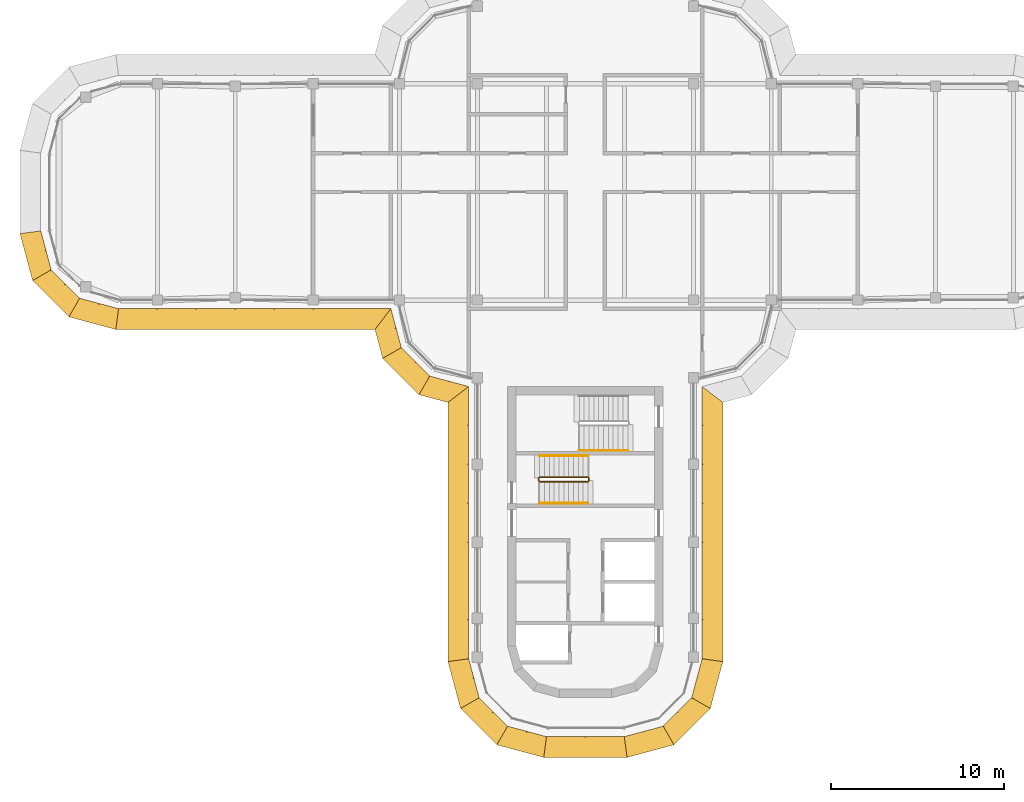
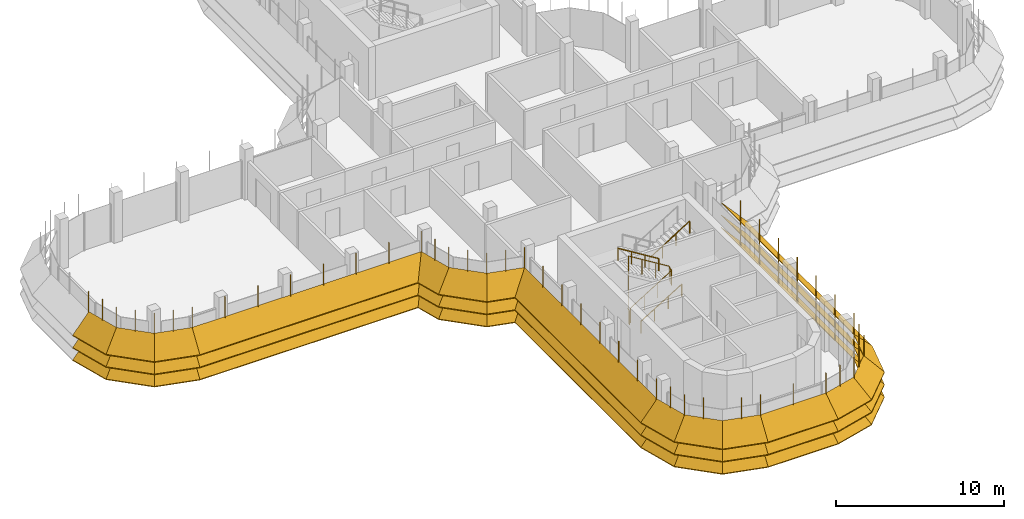
# One storey, part 16 of 19: 8 shading devices, 4 railings.
"""IFC4 building model written with IfcOpenShell, lengths in metres."""

from ifc_helpers import new_model, si_unit, direction, frame, origin, origin_2d, place, context, subcontext, project, spatial, polyline, circle, outline, extrude, faceted_brep, source, transform, mapped, material, type_object, element, save


model = new_model("IFC4")

# Units and contexts
model_context = context("Model", 3, precision=1e-05, world=origin(), true_north=direction((0.0, 1.0)))
body_context = subcontext(model_context, "Body", "Model", "MODEL_VIEW")
ifc_project = project(units=[si_unit("LENGTHUNIT", "METRE"), si_unit("AREAUNIT", "SQUARE_METRE"), si_unit("VOLUMEUNIT", "CUBIC_METRE"), si_unit("PLANEANGLEUNIT", "RADIAN"), si_unit("MASSUNIT", "GRAM", prefix="KILO")], contexts=[model_context])

# Site, building, storey
site_placement = place(None, origin())
site = spatial("IfcSite", under=ifc_project, at=site_placement, CompositionType="ELEMENT")
building_placement = place(site_placement, origin())
building = spatial("IfcBuilding", under=site, at=building_placement, Name="Zarbagh Exchange Tower", CompositionType="ELEMENT")
storey_placement = place(building_placement, frame((0.0, 0.0, 257.39990234375)))
storey = spatial("IfcBuildingStorey", under=building, at=storey_placement, Name="L63", CompositionType="ELEMENT", Elevation=257.39990234375)

# Railings
ifc_material_1 = material(Name="Stainless steel", Category="steel")
railing_type_1 = type_object("IfcRailingType", Name="Stair guard 1100 mm", PredefinedType="GUARDRAIL", material=ifc_material_1)
railing_1_placement = place(storey_placement, frame((-2.64990234375, -16.75, 0.1728515625)))
element("IfcRailing", 1, at=railing_1_placement, inside=storey, type_object=railing_type_1, Name="ST3 stair guard 1", PredefinedType="GUARDRAIL", context=body_context, shape_type="SweptSolid", body=[
    extrude(circle(Radius=0.02392578125, at=origin_2d()), frame((0.0, 0.0, 1.076171875), z_axis=(0.851069175582, 0.0, 0.525053576669), x_axis=(0.0, 1.0, 0.0)), (0.0, 0.0, 1.0), 3.289794921875),
    extrude(circle(Radius=0.02392578125, at=origin_2d()), frame((2.7998046875, 0.0, 2.80322265625), z_axis=(0.707106781187, 0.707106781187, 0.0), x_axis=(-0.707106781187, 0.707106781187, 0.0)), (0.0, 0.0, 1.0), 0.07080078125),
    extrude(circle(Radius=0.02392578125, at=origin_2d()), frame((2.849853515625, 0.050048828125, 2.80322265625), z_axis=(0.0, 1.0, 0.0), x_axis=(-1.0, 0.0, 0.0)), (0.0, 0.0, 1.0), 0.14990234375),
    extrude(circle(Radius=0.02392578125, at=origin_2d()), frame((2.849853515625, 0.199951171875, 2.80322265625), z_axis=(-0.268277960024, 0.268277960024, 0.925231793839), x_axis=(-0.707106781187, -0.707106781187, 0.0)), (0.0, 0.0, 1.0), 0.1865234375),
    extrude(circle(Radius=0.02392578125, at=origin_2d()), frame((2.7998046875, 0.25, 2.97607421875), z_axis=(-0.851069175582, 0.0, 0.525053576669), x_axis=(0.0, -1.0, 0.0)), (0.0, 0.0, 1.0), 3.289794921875),
    extrude(circle(Radius=0.02392578125, at=origin_2d()), frame((0.0, 0.25, 4.703125), z_axis=(-0.013168290981, -0.013168290981, -0.999826581076), x_axis=(0.707106781187, -0.707106781187, 0.0)), (0.0, 0.0, 1.0), 3.80078125),
    extrude(circle(Radius=0.02392578125, at=origin_2d()), frame((-0.050048828125, 0.199951171875, 0.9033203125), z_axis=(0.0, -1.0, 0.0), x_axis=(1.0, 0.0, 0.0)), (0.0, 0.0, 1.0), 0.14990234375),
    extrude(circle(Radius=0.02099609375, at=origin_2d()), origin(), (0.0, 0.0, 1.0), 1.052001953125),
    extrude(circle(Radius=0.02099609375, at=origin_2d()), frame((0.933349609375, 0.0, 0.57568359375)), (0.0, 0.0, 1.0), 1.052001953125),
    extrude(circle(Radius=0.02099609375, at=origin_2d()), frame((1.866455078125, 0.0, 1.151611328125)), (0.0, 0.0, 1.0), 1.052001953125),
    extrude(circle(Radius=0.02099609375, at=origin_2d()), frame((2.7998046875, 0.0, 1.727294921875)), (0.0, 0.0, 1.0), 1.052001953125),
    extrude(circle(Radius=0.02099609375, at=origin_2d()), frame((2.849853515625, 0.050048828125, 1.727294921875)), (0.0, 0.0, 1.0), 1.052001953125),
    extrude(circle(Radius=0.02099609375, at=origin_2d()), frame((2.849853515625, 0.199951171875, 1.727294921875)), (0.0, 0.0, 1.0), 1.052001953125),
    extrude(circle(Radius=0.02099609375, at=origin_2d()), frame((2.7998046875, 0.25, 1.89990234375)), (0.0, 0.0, 1.0), 1.052001953125),
    extrude(circle(Radius=0.02099609375, at=origin_2d()), frame((1.866455078125, 0.25, 2.4755859375)), (0.0, 0.0, 1.0), 1.052001953125),
    extrude(circle(Radius=0.02099609375, at=origin_2d()), frame((0.933349609375, 0.25, 3.051513671875)), (0.0, 0.0, 1.0), 1.052001953125),
    extrude(circle(Radius=0.02099609375, at=origin_2d()), frame((0.0, 0.25, 3.627197265625)), (0.0, 0.0, 1.0), 1.052001953125),
    extrude(circle(Radius=0.02099609375, at=origin_2d()), frame((-0.012451171875, 0.237548828125, 2.67724609375)), (0.0, 0.0, 1.0), 1.052001953125),
    extrude(circle(Radius=0.02099609375, at=origin_2d()), frame((-0.02490234375, 0.22509765625, 1.72705078125)), (0.0, 0.0, 1.0), 1.052001953125),
    extrude(circle(Radius=0.02099609375, at=origin_2d()), frame((-0.03759765625, 0.21240234375, 0.777099609375)), (0.0, 0.0, 1.0), 1.052001953125),
    extrude(circle(Radius=0.02099609375, at=origin_2d()), frame((-0.050048828125, 0.199951171875, -0.1728515625)), (0.0, 0.0, 1.0), 1.052001953125),
    extrude(circle(Radius=0.02099609375, at=origin_2d()), frame((-0.050048828125, 0.050048828125, -0.1728515625)), (0.0, 0.0, 1.0), 1.052001953125),
])
railing_type_2 = type_object("IfcRailingType", Name="Stair handrail 900 mm", PredefinedType="HANDRAIL", material=ifc_material_1)
railing_2_placement = place(storey_placement, frame((-2.64990234375, -18.0, 0.1728515625)))
element("IfcRailing", 2, at=railing_2_placement, inside=storey, type_object=railing_type_2, Name="ST3 stair handrail 1", PredefinedType="HANDRAIL", context=body_context, shape_type="SweptSolid", body=[
    extrude(circle(Radius=0.02392578125, at=origin_2d()), frame((0.0, 0.0, 0.8759765625), z_axis=(0.851069175582, 0.0, 0.525053576669), x_axis=(0.0, 1.0, 0.0)), (0.0, 0.0, 1.0), 3.289794921875),
    extrude(circle(Radius=0.02099609375, at=origin_2d()), origin(), (0.0, 0.0, 1.0), 0.851806640625),
    extrude(circle(Radius=0.02099609375, at=origin_2d()), frame((0.933349609375, 0.0, 0.57568359375)), (0.0, 0.0, 1.0), 0.851806640625),
    extrude(circle(Radius=0.02099609375, at=origin_2d()), frame((1.866455078125, 0.0, 1.151611328125)), (0.0, 0.0, 1.0), 0.851806640625),
    extrude(circle(Radius=0.02099609375, at=origin_2d()), frame((2.7998046875, 0.0, 1.727294921875)), (0.0, 0.0, 1.0), 0.851806640625),
])
railing_3_placement = place(storey_placement, frame((0.14990234375, -15.25, 2.07275390625)))
element("IfcRailing", 3, at=railing_3_placement, inside=storey, type_object=railing_type_2, Name="ST3 stair handrail 2", PredefinedType="HANDRAIL", context=body_context, shape_type="SweptSolid", body=[
    extrude(circle(Radius=0.02392578125, at=origin_2d()), frame((0.0, 0.0, 0.8759765625), z_axis=(-0.851069175582, 0.0, 0.525053576669), x_axis=(0.0, -1.0, 0.0)), (0.0, 0.0, 1.0), 3.289794921875),
    extrude(circle(Radius=0.02099609375, at=origin_2d()), origin(), (0.0, 0.0, 1.0), 0.851806640625),
    extrude(circle(Radius=0.02099609375, at=origin_2d()), frame((-0.933349609375, 0.0, 0.57568359375)), (0.0, 0.0, 1.0), 0.851806640625),
    extrude(circle(Radius=0.02099609375, at=origin_2d()), frame((-1.866455078125, 0.0, 1.151611328125)), (0.0, 0.0, 1.0), 0.851806640625),
    extrude(circle(Radius=0.02099609375, at=origin_2d()), frame((-2.7998046875, 0.0, 1.727294921875)), (0.0, 0.0, 1.0), 0.851806640625),
])
railing_4_placement = place(storey_placement, frame((-0.35009765625, -14.949951171875, 2.07275390625)))
element("IfcRailing", 4, at=railing_4_placement, inside=storey, type_object=railing_type_2, Name="ST4 stair handrail 2", PredefinedType="HANDRAIL", context=body_context, shape_type="SweptSolid", body=[
    extrude(circle(Radius=0.02392578125, at=origin_2d()), frame((0.0, 0.0, 0.8759765625), z_axis=(0.851089632645, 0.0, 0.525020415988), x_axis=(0.0, 1.0, 0.0)), (0.0, 0.0, 1.0), 3.2900390625),
    extrude(circle(Radius=0.02099609375, at=origin_2d()), origin(), (0.0, 0.0, 1.0), 0.851806640625),
    extrude(circle(Radius=0.02099609375, at=origin_2d()), frame((0.933349609375, 0.0, 0.57568359375)), (0.0, 0.0, 1.0), 0.851806640625),
    extrude(circle(Radius=0.02099609375, at=origin_2d()), frame((1.86669921875, 0.0, 1.151611328125)), (0.0, 0.0, 1.0), 0.851806640625),
    extrude(circle(Radius=0.02099609375, at=origin_2d()), frame((2.800048828125, 0.0, 1.727294921875)), (0.0, 0.0, 1.0), 0.851806640625),
])

# Shading devices
ifc_material_2 = material(Name="Anodised aluminium blades and brackets", Category="aluminium")
shading_device_type = type_object("IfcShadingDeviceType", Name="SUNSHADE louvre band, 45 degree blades", PredefinedType="JALOUSIE", material=ifc_material_2)
shared_shape_1 = source(origin(), body_context, "Body", "Brep", [
    faceted_brep([(0.0, 0.0, 0.0), (0.0, 0.0, -0.056640625), (-0.157958984375, -1.199951171875, -1.256591796875), (-0.157958984375, -1.199951171875, -1.199951171875), (2.65087890625, -1.199951171875, -1.199951171875), (2.65087890625, -1.199951171875, -1.256591796875), (2.329345703125, 0.0, -0.056640625), (2.329345703125, 0.0, 0.0)], [[[0, 1, 2, 3]], [[4, 5, 6, 7]], [[0, 7, 6, 1]], [[1, 6, 5, 2]], [[2, 5, 4, 3]], [[3, 4, 7, 0]]]),
])
shared_shape_2 = source(origin(), body_context, "Body", "Brep", [
    faceted_brep([(0.0, 0.0, 0.0), (0.0, 0.0, -0.056640625), (-0.321533203125, -1.199951171875, -1.256591796875), (-0.321533203125, -1.199951171875, -1.199951171875), (2.65087890625, -1.199951171875, -1.199951171875), (2.65087890625, -1.199951171875, -1.256591796875), (2.329345703125, 0.0, -0.056640625), (2.329345703125, 0.0, 0.0)], [[[0, 1, 2, 3]], [[4, 5, 6, 7]], [[0, 7, 6, 1]], [[1, 6, 5, 2]], [[2, 5, 4, 3]], [[3, 4, 7, 0]]]),
])
shared_shape_3 = source(origin(), body_context, "Body", "Brep", [
    faceted_brep([(0.0, 0.0, 0.0), (0.0, 0.0, -0.056640625), (-0.321533203125, -1.199951171875, -1.256591796875), (-0.321533203125, -1.199951171875, -1.199951171875), (2.4873046875, -1.199951171875, -1.199951171875), (2.4873046875, -1.199951171875, -1.256591796875), (2.329345703125, 0.0, -0.056640625), (2.329345703125, 0.0, 0.0)], [[[0, 1, 2, 3]], [[4, 5, 6, 7]], [[0, 7, 6, 1]], [[1, 6, 5, 2]], [[2, 5, 4, 3]], [[3, 4, 7, 0]]]),
])
shared_shape_4 = source(origin(), body_context, "Body", "SweptSolid", [
    extrude(outline(polyline([(0.0, -0.012451171875), (0.06005859375, -0.012451171875), (0.06005859375, 0.012451171875), (0.0, 0.012451171875), (0.0, -0.012451171875)])), origin(), (0.0, 0.0, 1.0), 3.366455078125),
])
placement = place(storey_placement, origin())
element("IfcShadingDevice", 5, at=placement, inside=storey, type_object=shading_device_type, Name="SS35 sunshade band", PredefinedType="JALOUSIE", context=body_context, shape_type="MappedRepresentation", body=[
    mapped(shared_shape_1, transform((2.25, -31.5, 2.300048828125), x_axis=(0.965924289636, 0.258824779902, 0.0), y_axis=(-0.258824779902, 0.965924289636, 0.0), z_axis=(0.0, 0.0, 1.0))),
    mapped(shared_shape_1, transform((2.25, -31.5, 1.400146484375), x_axis=(0.965924289636, 0.258824779902, 0.0), y_axis=(-0.258824779902, 0.965924289636, 0.0), z_axis=(0.0, 0.0, 1.0))),
    mapped(shared_shape_1, transform((2.25, -31.5, 0.5), x_axis=(0.965924289636, 0.258824779902, 0.0), y_axis=(-0.258824779902, 0.965924289636, 0.0), z_axis=(0.0, 0.0, 1.0))),
    mapped(shared_shape_2, transform((4.5, -30.897216796875, 2.300048828125), x_axis=(0.707106781187, 0.707106781187, 0.0), y_axis=(-0.707106781187, 0.707106781187, 0.0), z_axis=(0.0, 0.0, 1.0))),
    mapped(shared_shape_2, transform((4.5, -30.897216796875, 1.400146484375), x_axis=(0.707106781187, 0.707106781187, 0.0), y_axis=(-0.707106781187, 0.707106781187, 0.0), z_axis=(0.0, 0.0, 1.0))),
    mapped(shared_shape_2, transform((4.5, -30.897216796875, 0.5), x_axis=(0.707106781187, 0.707106781187, 0.0), y_axis=(-0.707106781187, 0.707106781187, 0.0), z_axis=(0.0, 0.0, 1.0))),
    mapped(shared_shape_3, transform((6.147216796875, -29.25, 2.300048828125), x_axis=(0.258824779902, 0.965924289636, 0.0), y_axis=(-0.965924289636, 0.258824779902, 0.0), z_axis=(0.0, 0.0, 1.0))),
    mapped(shared_shape_3, transform((6.147216796875, -29.25, 1.400146484375), x_axis=(0.258824779902, 0.965924289636, 0.0), y_axis=(-0.965924289636, 0.258824779902, 0.0), z_axis=(0.0, 0.0, 1.0))),
    mapped(shared_shape_3, transform((6.147216796875, -29.25, 0.5), x_axis=(0.258824779902, 0.965924289636, 0.0), y_axis=(-0.965924289636, 0.258824779902, 0.0), z_axis=(0.0, 0.0, 1.0))),
    mapped(shared_shape_4, transform((2.25, -31.5, 0.41357421875), x_axis=(0.130529263012, -0.991444457092, 0.0), y_axis=(0.991444457092, 0.130529263012, 0.0), z_axis=(0.0, 0.0, 1.0))),
    mapped(shared_shape_4, transform((3.375, -31.198486328125, 0.41357421875), x_axis=(0.258825058029, -0.96592421511, 0.0), y_axis=(0.96592421511, 0.258825058029, 0.0), z_axis=(0.0, 0.0, 1.0))),
    mapped(shared_shape_4, transform((4.5, -30.897216796875, 0.41357421875), x_axis=(0.50000275701, -0.866023812018, 0.0), y_axis=(0.866023812018, 0.50000275701, 0.0), z_axis=(0.0, 0.0, 1.0))),
    mapped(shared_shape_4, transform((5.323486328125, -30.073486328125, 0.41357421875), x_axis=(0.707106781187, -0.707106781187, 0.0), y_axis=(0.707106781187, 0.707106781187, 0.0), z_axis=(0.0, 0.0, 1.0))),
    mapped(shared_shape_4, transform((6.147216796875, -29.25, 0.41357421875), x_axis=(0.866023812018, -0.50000275701, 0.0), y_axis=(0.50000275701, 0.866023812018, 0.0), z_axis=(0.0, 0.0, 1.0))),
    mapped(shared_shape_4, transform((6.448486328125, -28.125, 0.41357421875), x_axis=(0.96592421511, -0.258825058029, 0.0), y_axis=(0.258825058029, 0.96592421511, 0.0), z_axis=(0.0, 0.0, 1.0))),
])
element("IfcShadingDevice", 6, at=placement, inside=storey, type_object=shading_device_type, Name="SS43 sunshade band", PredefinedType="JALOUSIE", context=body_context, shape_type="MappedRepresentation", body=[
    mapped(shared_shape_1, transform((-31.5, -2.25, 2.300048828125), x_axis=(0.258824779902, -0.965924289636, 0.0), y_axis=(0.965924289636, 0.258824779902, 0.0), z_axis=(0.0, 0.0, 1.0))),
    mapped(shared_shape_1, transform((-31.5, -2.25, 1.400146484375), x_axis=(0.258824779902, -0.965924289636, 0.0), y_axis=(0.965924289636, 0.258824779902, 0.0), z_axis=(0.0, 0.0, 1.0))),
    mapped(shared_shape_1, transform((-31.5, -2.25, 0.5), x_axis=(0.258824779902, -0.965924289636, 0.0), y_axis=(0.965924289636, 0.258824779902, 0.0), z_axis=(0.0, 0.0, 1.0))),
    mapped(shared_shape_2, transform((-30.897216796875, -4.5, 2.300048828125), x_axis=(0.707106781187, -0.707106781187, 0.0), y_axis=(0.707106781187, 0.707106781187, 0.0), z_axis=(0.0, 0.0, 1.0))),
    mapped(shared_shape_2, transform((-30.897216796875, -4.5, 1.400146484375), x_axis=(0.707106781187, -0.707106781187, 0.0), y_axis=(0.707106781187, 0.707106781187, 0.0), z_axis=(0.0, 0.0, 1.0))),
    mapped(shared_shape_2, transform((-30.897216796875, -4.5, 0.5), x_axis=(0.707106781187, -0.707106781187, 0.0), y_axis=(0.707106781187, 0.707106781187, 0.0), z_axis=(0.0, 0.0, 1.0))),
    mapped(shared_shape_3, transform((-29.25, -6.147216796875, 2.300048828125), x_axis=(0.965924289636, -0.258824779902, 0.0), y_axis=(0.258824779902, 0.965924289636, 0.0), z_axis=(0.0, 0.0, 1.0))),
    mapped(shared_shape_3, transform((-29.25, -6.147216796875, 1.400146484375), x_axis=(0.965924289636, -0.258824779902, 0.0), y_axis=(0.258824779902, 0.965924289636, 0.0), z_axis=(0.0, 0.0, 1.0))),
    mapped(shared_shape_3, transform((-29.25, -6.147216796875, 0.5), x_axis=(0.965924289636, -0.258824779902, 0.0), y_axis=(0.258824779902, 0.965924289636, 0.0), z_axis=(0.0, 0.0, 1.0))),
    mapped(shared_shape_4, transform((-31.5, -2.25, 0.41357421875), x_axis=(-0.991444457092, -0.130529263012, 0.0), y_axis=(0.130529263012, -0.991444457092, 0.0), z_axis=(0.0, 0.0, 1.0))),
    mapped(shared_shape_4, transform((-31.198486328125, -3.375, 0.41357421875), x_axis=(-0.96592421511, -0.258825058029, 0.0), y_axis=(0.258825058029, -0.96592421511, 0.0), z_axis=(0.0, 0.0, 1.0))),
    mapped(shared_shape_4, transform((-30.897216796875, -4.5, 0.41357421875), x_axis=(-0.866023812018, -0.50000275701, 0.0), y_axis=(0.50000275701, -0.866023812018, 0.0), z_axis=(0.0, 0.0, 1.0))),
    mapped(shared_shape_4, transform((-30.073486328125, -5.323486328125, 0.41357421875), x_axis=(-0.707106781187, -0.707106781187, 0.0), y_axis=(0.707106781187, -0.707106781187, 0.0), z_axis=(0.0, 0.0, 1.0))),
    mapped(shared_shape_4, transform((-29.25, -6.147216796875, 0.41357421875), x_axis=(-0.50000275701, -0.866023812018, 0.0), y_axis=(0.866023812018, -0.50000275701, 0.0), z_axis=(0.0, 0.0, 1.0))),
    mapped(shared_shape_4, transform((-28.125, -6.448486328125, 0.41357421875), x_axis=(-0.258825058029, -0.96592421511, 0.0), y_axis=(0.96592421511, -0.258825058029, 0.0), z_axis=(0.0, 0.0, 1.0))),
])
element("IfcShadingDevice", 7, at=placement, inside=storey, type_object=shading_device_type, Name="SS38 sunshade band", PredefinedType="JALOUSIE", context=body_context, shape_type="MappedRepresentation", body=[
    mapped(shared_shape_1, transform((-6.75, -27.0, 2.300048828125), x_axis=(0.258824779902, -0.965924289636, 0.0), y_axis=(0.965924289636, 0.258824779902, 0.0), z_axis=(0.0, 0.0, 1.0))),
    mapped(shared_shape_1, transform((-6.75, -27.0, 1.400146484375), x_axis=(0.258824779902, -0.965924289636, 0.0), y_axis=(0.965924289636, 0.258824779902, 0.0), z_axis=(0.0, 0.0, 1.0))),
    mapped(shared_shape_1, transform((-6.75, -27.0, 0.5), x_axis=(0.258824779902, -0.965924289636, 0.0), y_axis=(0.965924289636, 0.258824779902, 0.0), z_axis=(0.0, 0.0, 1.0))),
    mapped(shared_shape_2, transform((-6.147216796875, -29.25, 2.300048828125), x_axis=(0.707106781187, -0.707106781187, 0.0), y_axis=(0.707106781187, 0.707106781187, 0.0), z_axis=(0.0, 0.0, 1.0))),
    mapped(shared_shape_2, transform((-6.147216796875, -29.25, 1.400146484375), x_axis=(0.707106781187, -0.707106781187, 0.0), y_axis=(0.707106781187, 0.707106781187, 0.0), z_axis=(0.0, 0.0, 1.0))),
    mapped(shared_shape_2, transform((-6.147216796875, -29.25, 0.5), x_axis=(0.707106781187, -0.707106781187, 0.0), y_axis=(0.707106781187, 0.707106781187, 0.0), z_axis=(0.0, 0.0, 1.0))),
    mapped(shared_shape_3, transform((-4.5, -30.897216796875, 2.300048828125), x_axis=(0.965924289636, -0.258824779902, 0.0), y_axis=(0.258824779902, 0.965924289636, 0.0), z_axis=(0.0, 0.0, 1.0))),
    mapped(shared_shape_3, transform((-4.5, -30.897216796875, 1.400146484375), x_axis=(0.965924289636, -0.258824779902, 0.0), y_axis=(0.258824779902, 0.965924289636, 0.0), z_axis=(0.0, 0.0, 1.0))),
    mapped(shared_shape_3, transform((-4.5, -30.897216796875, 0.5), x_axis=(0.965924289636, -0.258824779902, 0.0), y_axis=(0.258824779902, 0.965924289636, 0.0), z_axis=(0.0, 0.0, 1.0))),
    mapped(shared_shape_4, transform((-6.75, -27.0, 0.41357421875), x_axis=(-0.991444457092, -0.130529263012, 0.0), y_axis=(0.130529263012, -0.991444457092, 0.0), z_axis=(0.0, 0.0, 1.0))),
    mapped(shared_shape_4, transform((-6.448486328125, -28.125, 0.41357421875), x_axis=(-0.96592421511, -0.258825058029, 0.0), y_axis=(0.258825058029, -0.96592421511, 0.0), z_axis=(0.0, 0.0, 1.0))),
    mapped(shared_shape_4, transform((-6.147216796875, -29.25, 0.41357421875), x_axis=(-0.866023812018, -0.50000275701, 0.0), y_axis=(0.50000275701, -0.866023812018, 0.0), z_axis=(0.0, 0.0, 1.0))),
    mapped(shared_shape_4, transform((-5.323486328125, -30.073486328125, 0.41357421875), x_axis=(-0.707106781187, -0.707106781187, 0.0), y_axis=(0.707106781187, -0.707106781187, 0.0), z_axis=(0.0, 0.0, 1.0))),
    mapped(shared_shape_4, transform((-4.5, -30.897216796875, 0.41357421875), x_axis=(-0.50000275701, -0.866023812018, 0.0), y_axis=(0.866023812018, -0.50000275701, 0.0), z_axis=(0.0, 0.0, 1.0))),
    mapped(shared_shape_4, transform((-3.375, -31.198486328125, 0.41357421875), x_axis=(-0.258825058029, -0.96592421511, 0.0), y_axis=(0.96592421511, -0.258825058029, 0.0), z_axis=(0.0, 0.0, 1.0))),
])
shared_shape_5 = source(origin(), body_context, "Body", "Brep", [
    faceted_brep([(0.0, 0.0, 0.0), (0.0, 0.0, -0.056640625), (0.9208984375, -1.199951171875, -1.256591796875), (0.9208984375, -1.199951171875, -1.199951171875), (2.65087890625, -1.199951171875, -1.199951171875), (2.65087890625, -1.199951171875, -1.256591796875), (2.329345703125, 0.0, -0.056640625), (2.329345703125, 0.0, 0.0)], [[[0, 1, 2, 3]], [[4, 5, 6, 7]], [[0, 7, 6, 1]], [[1, 6, 5, 2]], [[2, 5, 4, 3]], [[3, 4, 7, 0]]]),
])
shared_shape_6 = source(origin(), body_context, "Body", "Brep", [
    faceted_brep([(0.0, 0.0, 0.0), (0.0, 0.0, -0.056640625), (-0.321533203125, -1.199951171875, -1.256591796875), (-0.321533203125, -1.199951171875, -1.199951171875), (1.40869140625, -1.199951171875, -1.199951171875), (1.40869140625, -1.199951171875, -1.256591796875), (2.329345703125, 0.0, -0.056640625), (2.329345703125, 0.0, 0.0)], [[[0, 1, 2, 3]], [[4, 5, 6, 7]], [[0, 7, 6, 1]], [[1, 6, 5, 2]], [[2, 5, 4, 3]], [[3, 4, 7, 0]]]),
])
element("IfcShadingDevice", 8, at=placement, inside=storey, type_object=shading_device_type, Name="SS21 sunshade band", PredefinedType="JALOUSIE", context=body_context, shape_type="MappedRepresentation", body=[
    mapped(shared_shape_5, transform((-11.25, -6.75, 2.300048828125), x_axis=(0.258824779902, -0.965924289636, 0.0), y_axis=(0.965924289636, 0.258824779902, 0.0), z_axis=(0.0, 0.0, 1.0))),
    mapped(shared_shape_5, transform((-11.25, -6.75, 1.400146484375), x_axis=(0.258824779902, -0.965924289636, 0.0), y_axis=(0.965924289636, 0.258824779902, 0.0), z_axis=(0.0, 0.0, 1.0))),
    mapped(shared_shape_5, transform((-11.25, -6.75, 0.5), x_axis=(0.258824779902, -0.965924289636, 0.0), y_axis=(0.965924289636, 0.258824779902, 0.0), z_axis=(0.0, 0.0, 1.0))),
    mapped(shared_shape_2, transform((-10.647216796875, -9.0, 2.300048828125), x_axis=(0.707106781187, -0.707106781187, 0.0), y_axis=(0.707106781187, 0.707106781187, 0.0), z_axis=(0.0, 0.0, 1.0))),
    mapped(shared_shape_2, transform((-10.647216796875, -9.0, 1.400146484375), x_axis=(0.707106781187, -0.707106781187, 0.0), y_axis=(0.707106781187, 0.707106781187, 0.0), z_axis=(0.0, 0.0, 1.0))),
    mapped(shared_shape_2, transform((-10.647216796875, -9.0, 0.5), x_axis=(0.707106781187, -0.707106781187, 0.0), y_axis=(0.707106781187, 0.707106781187, 0.0), z_axis=(0.0, 0.0, 1.0))),
    mapped(shared_shape_6, transform((-9.0, -10.647216796875, 2.300048828125), x_axis=(0.965924289636, -0.258824779902, 0.0), y_axis=(0.258824779902, 0.965924289636, 0.0), z_axis=(0.0, 0.0, 1.0))),
    mapped(shared_shape_6, transform((-9.0, -10.647216796875, 1.400146484375), x_axis=(0.965924289636, -0.258824779902, 0.0), y_axis=(0.258824779902, 0.965924289636, 0.0), z_axis=(0.0, 0.0, 1.0))),
    mapped(shared_shape_6, transform((-9.0, -10.647216796875, 0.5), x_axis=(0.965924289636, -0.258824779902, 0.0), y_axis=(0.258824779902, 0.965924289636, 0.0), z_axis=(0.0, 0.0, 1.0))),
    mapped(shared_shape_4, transform((-11.25, -6.75, 0.41357421875), x_axis=(-0.608758892, -0.793355287, 0.0), y_axis=(0.793355287, -0.608758892, 0.0), z_axis=(0.0, 0.0, 1.0))),
    mapped(shared_shape_4, transform((-10.948486328125, -7.875, 0.41357421875), x_axis=(-0.96592421511, -0.258825058029, 0.0), y_axis=(0.258825058029, -0.96592421511, 0.0), z_axis=(0.0, 0.0, 1.0))),
    mapped(shared_shape_4, transform((-10.647216796875, -9.0, 0.41357421875), x_axis=(-0.866023812018, -0.50000275701, 0.0), y_axis=(0.50000275701, -0.866023812018, 0.0), z_axis=(0.0, 0.0, 1.0))),
    mapped(shared_shape_4, transform((-9.823486328125, -9.823486328125, 0.41357421875), x_axis=(-0.707106781187, -0.707106781187, 0.0), y_axis=(0.707106781187, -0.707106781187, 0.0), z_axis=(0.0, 0.0, 1.0))),
    mapped(shared_shape_4, transform((-9.0, -10.647216796875, 0.41357421875), x_axis=(-0.50000275701, -0.866023812018, 0.0), y_axis=(0.866023812018, -0.50000275701, 0.0), z_axis=(0.0, 0.0, 1.0))),
    mapped(shared_shape_4, transform((-7.875, -10.948486328125, 0.41357421875), x_axis=(-0.258825058029, -0.96592421511, 0.0), y_axis=(0.96592421511, -0.258825058029, 0.0), z_axis=(0.0, 0.0, 1.0))),
])
shared_shape_7 = source(origin(), body_context, "Body", "Brep", [
    faceted_brep([(0.0, 0.0, 0.0), (0.0, 0.0, -0.056640625), (-0.157958984375, -1.199951171875, -1.256591796875), (-0.157958984375, -1.199951171875, -1.199951171875), (14.8291015625, -1.199951171875, -1.199951171875), (14.8291015625, -1.199951171875, -1.256591796875), (15.75, 0.0, -0.056640625), (15.75, 0.0, 0.0)], [[[0, 1, 2, 3]], [[4, 5, 6, 7]], [[0, 7, 6, 1]], [[1, 6, 5, 2]], [[2, 5, 4, 3]], [[3, 4, 7, 0]]]),
])
element("IfcShadingDevice", 9, at=placement, inside=storey, type_object=shading_device_type, Name="SS36 sunshade band", PredefinedType="JALOUSIE", context=body_context, shape_type="MappedRepresentation", body=[
    mapped(shared_shape_7, transform((6.75, -27.0, 2.300048828125), x_axis=(0.0, 1.0, 0.0), y_axis=(-1.0, 0.0, 0.0), z_axis=(0.0, 0.0, 1.0))),
    mapped(shared_shape_7, transform((6.75, -27.0, 1.400146484375), x_axis=(0.0, 1.0, 0.0), y_axis=(-1.0, 0.0, 0.0), z_axis=(0.0, 0.0, 1.0))),
    mapped(shared_shape_7, transform((6.75, -27.0, 0.5), x_axis=(0.0, 1.0, 0.0), y_axis=(-1.0, 0.0, 0.0), z_axis=(0.0, 0.0, 1.0))),
    mapped(shared_shape_4, transform((6.75, -27.0, 0.41357421875), x_axis=(0.991444457092, -0.130529263012, 0.0), y_axis=(0.130529263012, 0.991444457092, 0.0), z_axis=(0.0, 0.0, 1.0))),
    mapped(shared_shape_4, transform((6.75, -24.75, 0.41357421875), x_axis=(1.0, 0.0, 0.0), y_axis=(0.0, 1.0, 0.0), z_axis=(0.0, 0.0, 1.0))),
    mapped(shared_shape_4, transform((6.75, -22.5, 0.41357421875), x_axis=(1.0, 0.0, 0.0), y_axis=(0.0, 1.0, 0.0), z_axis=(0.0, 0.0, 1.0))),
    mapped(shared_shape_4, transform((6.75, -20.25, 0.41357421875), x_axis=(1.0, 0.0, 0.0), y_axis=(0.0, 1.0, 0.0), z_axis=(0.0, 0.0, 1.0))),
    mapped(shared_shape_4, transform((6.75, -18.0, 0.41357421875), x_axis=(1.0, 0.0, 0.0), y_axis=(0.0, 1.0, 0.0), z_axis=(0.0, 0.0, 1.0))),
    mapped(shared_shape_4, transform((6.75, -15.75, 0.41357421875), x_axis=(1.0, 0.0, 0.0), y_axis=(0.0, 1.0, 0.0), z_axis=(0.0, 0.0, 1.0))),
    mapped(shared_shape_4, transform((6.75, -13.5, 0.41357421875), x_axis=(1.0, 0.0, 0.0), y_axis=(0.0, 1.0, 0.0), z_axis=(0.0, 0.0, 1.0))),
])
element("IfcShadingDevice", 10, at=placement, inside=storey, type_object=shading_device_type, Name="SS44 sunshade band", PredefinedType="JALOUSIE", context=body_context, shape_type="MappedRepresentation", body=[
    mapped(shared_shape_7, transform((-27.0, -6.75, 2.300048828125), x_axis=(1.0, 0.0, 0.0), y_axis=(0.0, 1.0, 0.0), z_axis=(0.0, 0.0, 1.0))),
    mapped(shared_shape_7, transform((-27.0, -6.75, 1.400146484375), x_axis=(1.0, 0.0, 0.0), y_axis=(0.0, 1.0, 0.0), z_axis=(0.0, 0.0, 1.0))),
    mapped(shared_shape_7, transform((-27.0, -6.75, 0.5), x_axis=(1.0, 0.0, 0.0), y_axis=(0.0, 1.0, 0.0), z_axis=(0.0, 0.0, 1.0))),
    mapped(shared_shape_4, transform((-27.0, -6.75, 0.41357421875), x_axis=(-0.130529263012, -0.991444457092, 0.0), y_axis=(0.991444457092, -0.130529263012, 0.0), z_axis=(0.0, 0.0, 1.0))),
    mapped(shared_shape_4, transform((-24.75, -6.75, 0.41357421875), x_axis=(0.0, -1.0, 0.0), y_axis=(1.0, 0.0, 0.0), z_axis=(0.0, 0.0, 1.0))),
    mapped(shared_shape_4, transform((-22.5, -6.75, 0.41357421875), x_axis=(0.0, -1.0, 0.0), y_axis=(1.0, 0.0, 0.0), z_axis=(0.0, 0.0, 1.0))),
    mapped(shared_shape_4, transform((-20.25, -6.75, 0.41357421875), x_axis=(0.0, -1.0, 0.0), y_axis=(1.0, 0.0, 0.0), z_axis=(0.0, 0.0, 1.0))),
    mapped(shared_shape_4, transform((-18.0, -6.75, 0.41357421875), x_axis=(0.0, -1.0, 0.0), y_axis=(1.0, 0.0, 0.0), z_axis=(0.0, 0.0, 1.0))),
    mapped(shared_shape_4, transform((-15.75, -6.75, 0.41357421875), x_axis=(0.0, -1.0, 0.0), y_axis=(1.0, 0.0, 0.0), z_axis=(0.0, 0.0, 1.0))),
    mapped(shared_shape_4, transform((-13.5, -6.75, 0.41357421875), x_axis=(0.0, -1.0, 0.0), y_axis=(1.0, 0.0, 0.0), z_axis=(0.0, 0.0, 1.0))),
])
shared_shape_8 = source(origin(), body_context, "Body", "Brep", [
    faceted_brep([(0.0, 0.0, 0.0), (0.0, 0.0, -0.056640625), (0.9208984375, -1.199951171875, -1.256591796875), (0.9208984375, -1.199951171875, -1.199951171875), (15.907958984375, -1.199951171875, -1.199951171875), (15.907958984375, -1.199951171875, -1.256591796875), (15.75, 0.0, -0.056640625), (15.75, 0.0, 0.0)], [[[0, 1, 2, 3]], [[4, 5, 6, 7]], [[0, 7, 6, 1]], [[1, 6, 5, 2]], [[2, 5, 4, 3]], [[3, 4, 7, 0]]]),
])
element("IfcShadingDevice", 11, at=placement, inside=storey, type_object=shading_device_type, Name="SS37 sunshade band", PredefinedType="JALOUSIE", context=body_context, shape_type="MappedRepresentation", body=[
    mapped(shared_shape_8, transform((-6.75, -11.25, 2.300048828125), x_axis=(0.0, -1.0, 0.0), y_axis=(1.0, 0.0, 0.0), z_axis=(0.0, 0.0, 1.0))),
    mapped(shared_shape_8, transform((-6.75, -11.25, 1.400146484375), x_axis=(0.0, -1.0, 0.0), y_axis=(1.0, 0.0, 0.0), z_axis=(0.0, 0.0, 1.0))),
    mapped(shared_shape_8, transform((-6.75, -11.25, 0.5), x_axis=(0.0, -1.0, 0.0), y_axis=(1.0, 0.0, 0.0), z_axis=(0.0, 0.0, 1.0))),
    mapped(shared_shape_4, transform((-6.75, -11.25, 0.41357421875), x_axis=(-0.793355287, -0.608758892, 0.0), y_axis=(0.608758892, -0.793355287, 0.0), z_axis=(0.0, 0.0, 1.0))),
    mapped(shared_shape_4, transform((-6.75, -13.5, 0.41357421875), x_axis=(-1.0, 0.0, 0.0), y_axis=(0.0, -1.0, 0.0), z_axis=(0.0, 0.0, 1.0))),
    mapped(shared_shape_4, transform((-6.75, -15.75, 0.41357421875), x_axis=(-1.0, 0.0, 0.0), y_axis=(0.0, -1.0, 0.0), z_axis=(0.0, 0.0, 1.0))),
    mapped(shared_shape_4, transform((-6.75, -18.0, 0.41357421875), x_axis=(-1.0, 0.0, 0.0), y_axis=(0.0, -1.0, 0.0), z_axis=(0.0, 0.0, 1.0))),
    mapped(shared_shape_4, transform((-6.75, -20.25, 0.41357421875), x_axis=(-1.0, 0.0, 0.0), y_axis=(0.0, -1.0, 0.0), z_axis=(0.0, 0.0, 1.0))),
    mapped(shared_shape_4, transform((-6.75, -22.5, 0.41357421875), x_axis=(-1.0, 0.0, 0.0), y_axis=(0.0, -1.0, 0.0), z_axis=(0.0, 0.0, 1.0))),
    mapped(shared_shape_4, transform((-6.75, -24.75, 0.41357421875), x_axis=(-1.0, 0.0, 0.0), y_axis=(0.0, -1.0, 0.0), z_axis=(0.0, 0.0, 1.0))),
])
shared_shape_9 = source(origin(), body_context, "Body", "Brep", [
    faceted_brep([(0.0, 0.0, 0.0), (0.0, 0.0, -0.056640625), (-0.157958984375, -1.199951171875, -1.256591796875), (-0.157958984375, -1.199951171875, -1.199951171875), (4.657958984375, -1.199951171875, -1.199951171875), (4.657958984375, -1.199951171875, -1.256591796875), (4.5, 0.0, -0.056640625), (4.5, 0.0, 0.0)], [[[0, 1, 2, 3]], [[4, 5, 6, 7]], [[0, 7, 6, 1]], [[1, 6, 5, 2]], [[2, 5, 4, 3]], [[3, 4, 7, 0]]]),
])
element("IfcShadingDevice", 12, at=placement, inside=storey, type_object=shading_device_type, Name="SS39 sunshade band", PredefinedType="JALOUSIE", context=body_context, shape_type="MappedRepresentation", body=[
    mapped(shared_shape_9, transform((-2.25, -31.5, 2.300048828125), x_axis=(1.0, 0.0, 0.0), y_axis=(0.0, 1.0, 0.0), z_axis=(0.0, 0.0, 1.0))),
    mapped(shared_shape_9, transform((-2.25, -31.5, 1.400146484375), x_axis=(1.0, 0.0, 0.0), y_axis=(0.0, 1.0, 0.0), z_axis=(0.0, 0.0, 1.0))),
    mapped(shared_shape_9, transform((-2.25, -31.5, 0.5), x_axis=(1.0, 0.0, 0.0), y_axis=(0.0, 1.0, 0.0), z_axis=(0.0, 0.0, 1.0))),
    mapped(shared_shape_4, transform((-2.25, -31.5, 0.41357421875), x_axis=(-0.130529263012, -0.991444457092, 0.0), y_axis=(0.991444457092, -0.130529263012, 0.0), z_axis=(0.0, 0.0, 1.0))),
    mapped(shared_shape_4, transform((0.0, -31.5, 0.41357421875), x_axis=(0.0, -1.0, 0.0), y_axis=(1.0, 0.0, 0.0), z_axis=(0.0, 0.0, 1.0))),
])

save(model, "model.ifc")
